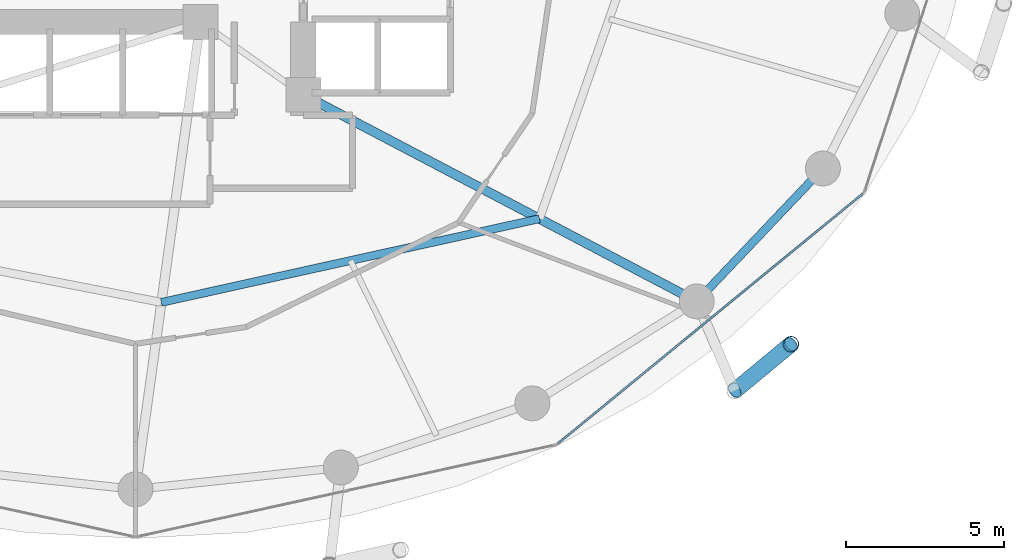
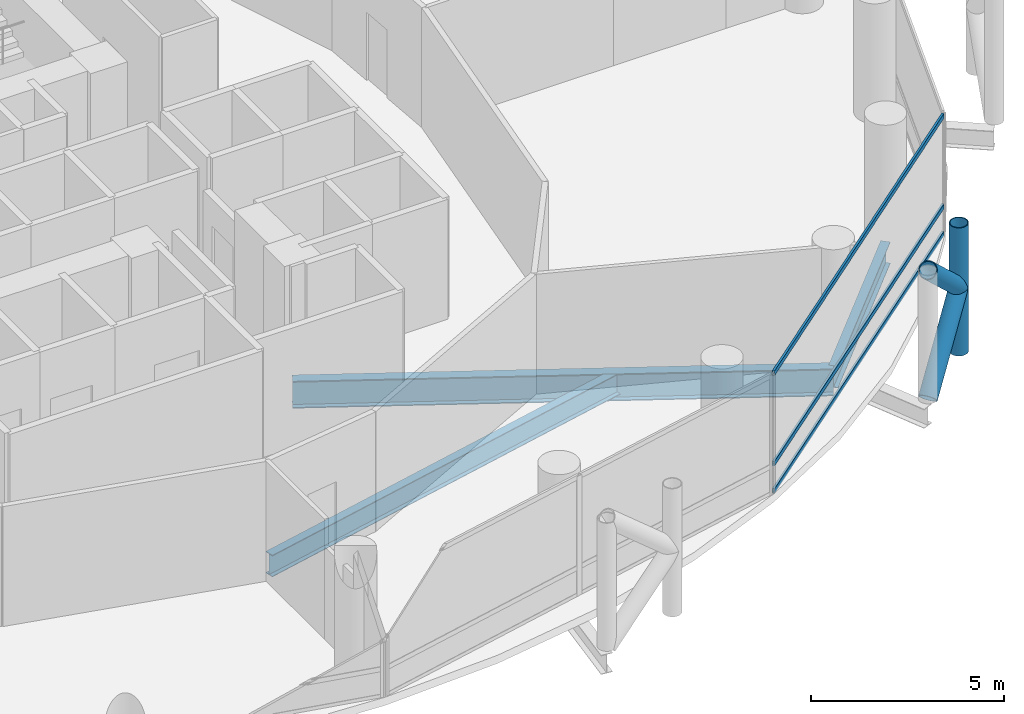
# One storey, part 9 of 25: 6 members, 3 beams, 1 element without a shape of its own.
"""IFC4 building model written with IfcOpenShell, lengths in metres."""

from ifc_helpers import new_model, si_unit, direction, frame, origin, origin_2d, place, context, subcontext, project, spatial, hollow_rectangle, hollow_circle, i_section, extrude, material, layer, layer_set, material_profile, profile_set, type_object, element, aggregate, save


model = new_model("IFC4")

# Units and contexts
model_context = context("Model", 3, precision=1e-05, world=origin(), true_north=direction((0.0, 1.0)))
body_context = subcontext(model_context, "Body", "Model", "MODEL_VIEW")
ifc_project = project(units=[si_unit("LENGTHUNIT", "METRE"), si_unit("AREAUNIT", "SQUARE_METRE"), si_unit("VOLUMEUNIT", "CUBIC_METRE"), si_unit("PLANEANGLEUNIT", "RADIAN"), si_unit("MASSUNIT", "GRAM", prefix="KILO")], contexts=[model_context])

# Site, building, storey
site_placement = place(None, origin())
site = spatial("IfcSite", under=ifc_project, at=site_placement, CompositionType="ELEMENT")
building_placement = place(site_placement, origin())
building = spatial("IfcBuilding", under=site, at=building_placement, Name="Nuhasar Tower", CompositionType="ELEMENT")
storey_placement = place(building_placement, frame((0.0, 0.0, 49.35009765625)))
storey = spatial("IfcBuildingStorey", under=building, at=storey_placement, Name="L11", CompositionType="ELEMENT", Elevation=49.35009765625)

# Beams
ifc_material_1 = material(Name="Steel S355", Category="steel")
ifc_material_profile_1 = material_profile(ifc_material_1, i_section(OverallWidth=0.25390625, OverallDepth=0.68408203125, WebThickness=0.012451171875, FlangeThickness=0.018798828125, at=origin_2d()), Name="W27X94")
ifc_profile_set_1 = profile_set([ifc_material_profile_1], Name="Steel S355")
beam_type_1 = type_object("IfcBeamType", Name="BM-INRING-W27X94", PredefinedType="BEAM", material=ifc_profile_set_1)
beam_1_placement = place(storey_placement, frame((39.820068359375, 12.449951171875, -0.60205078125), z_axis=(0.976386023343, 0.216033176665, 0.0), x_axis=(-0.216033176665, 0.976386023343, 0.0)))
element("IfcBeam", 1, at=beam_1_placement, inside=storey, type_object=beam_type_1, Name="L11 Inner Header Beam 02", PredefinedType="BEAM", context=body_context, shape_type="SweptSolid", body=[
    extrude(i_section(OverallWidth=0.25390625, OverallDepth=0.68408203125, WebThickness=0.012451171875, FlangeThickness=0.018798828125, at=origin_2d()), origin(), (0.0, 0.0, 1.0), 12.216552734375),
])
ifc_material_profile_2 = material_profile(ifc_material_1, i_section(OverallWidth=0.2919921875, OverallDepth=0.85888671875, WebThickness=0.01708984375, FlangeThickness=0.031005859375, at=origin_2d()), Name="W33X169")
ifc_profile_set_2 = profile_set([ifc_material_profile_2], Name="Steel S355")
beam_type_2 = type_object("IfcBeamType", Name="BM-POD-W33X169", PredefinedType="BEAM", material=ifc_profile_set_2)
beam_2_placement = place(storey_placement, frame((44.300048828125, 19.0, -0.689208984375), z_axis=(0.885330348705, -0.464962550816, 0.0), x_axis=(0.464962550816, 0.885330348705, 0.0)))
element("IfcBeam", 2, at=beam_2_placement, inside=storey, type_object=beam_type_2, Name="L11 Radial Floor Girder 03", PredefinedType="BEAM", context=body_context, shape_type="SweptSolid", body=[
    extrude(i_section(OverallWidth=0.2919921875, OverallDepth=0.85888671875, WebThickness=0.01708984375, FlangeThickness=0.031005859375, at=origin_2d()), origin(), (0.0, 0.0, 1.0), 14.0205078125),
])
ifc_material_profile_3 = material_profile(ifc_material_1, i_section(OverallWidth=0.256103515625, OverallDepth=0.693115234375, WebThickness=0.014404296875, FlangeThickness=0.023681640625, at=origin_2d()), Name="W27X114")
ifc_profile_set_3 = profile_set([ifc_material_profile_3], Name="Steel S355")
beam_type_3 = type_object("IfcBeamType", Name="BM-RING-W27X114", PredefinedType="SPANDREL", material=ifc_profile_set_3)
beam_3_placement = place(storey_placement, frame((56.712890625, 12.48095703125, -0.606201171875), z_axis=(0.688459812429, 0.725274490569, 0.0), x_axis=(-0.725274490569, 0.688459812429, 0.0)))
element("IfcBeam", 3, at=beam_3_placement, inside=storey, type_object=beam_type_3, Name="L11 Perimeter Ring Spandrel 22", PredefinedType="SPANDREL", context=body_context, shape_type="SweptSolid", body=[
    extrude(i_section(OverallWidth=0.256103515625, OverallDepth=0.693115234375, WebThickness=0.014404296875, FlangeThickness=0.023681640625, at=origin_2d()), origin(), (0.0, 0.0, 1.0), 5.78271484375),
])

# Curtain wall, members
ifc_material_2 = material(Name="Aluminium 6063-T6", Category="aluminium")
ifc_layer = layer(ifc_material_2, 0.199951171875)
ifc_layer_set = layer_set([ifc_layer], Name="Aluminium 6063-T6")
curtain_wall_type = type_object("IfcCurtainWallType", Name="CW-Z1-OFF", PredefinedType="NOTDEFINED", material=ifc_layer_set)
curtain_wall_placement = place(storey_placement, origin())
curtain_wall = element("IfcCurtainWall", 4, at=curtain_wall_placement, inside=storey, type_object=curtain_wall_type, Name="L11 Unitised Curtain Wall 11", PredefinedType="NOTDEFINED")
ifc_material_profile_4 = material_profile(ifc_material_2, hollow_rectangle(XDim=0.06494140625, YDim=0.14990234375, WallThickness=0.00439453125, at=origin_2d()), Name="CWT-2")
ifc_profile_set_4 = profile_set([ifc_material_profile_4], Name="Aluminium 6063-T6")
member_type_1 = type_object("IfcMemberType", Name="CW-TRN-S2", PredefinedType="USERDEFINED", material=ifc_profile_set_4)
member_1_placement = place(storey_placement, frame((52.330322265625, 7.99609375, 0.032470703125), z_axis=(0.773531229158, 0.633758185365, 0.0), x_axis=(-0.633758185365, 0.773531229158, 0.0)))
member_1 = element("IfcMember", 5, at=member_1_placement, type_object=member_type_1, Name="CW-Z1 transom 1.1", ObjectType="TRANSOM", PredefinedType="USERDEFINED", context=body_context, shape_type="SweptSolid", body=[
    extrude(hollow_rectangle(XDim=0.06494140625, YDim=0.14990234375, WallThickness=0.00439453125, at=origin_2d()), origin(), (0.0, 0.0, 1.0), 12.438232421875),
])
member_2_placement = place(storey_placement, frame((52.330322265625, 7.99609375, 0.89990234375), z_axis=(0.773531229158, 0.633758185365, 0.0), x_axis=(-0.633758185365, 0.773531229158, 0.0)))
member_2 = element("IfcMember", 6, at=member_2_placement, type_object=member_type_1, Name="CW-Z1 transom 1.2", ObjectType="TRANSOM", PredefinedType="USERDEFINED", context=body_context, shape_type="SweptSolid", body=[
    extrude(hollow_rectangle(XDim=0.06494140625, YDim=0.14990234375, WallThickness=0.00439453125, at=origin_2d()), origin(), (0.0, 0.0, 1.0), 12.438232421875),
])
member_3_placement = place(storey_placement, frame((52.330322265625, 7.99609375, 3.75732421875), z_axis=(0.773531229158, 0.633758185365, 0.0), x_axis=(-0.633758185365, 0.773531229158, 0.0)))
member_3 = element("IfcMember", 7, at=member_3_placement, type_object=member_type_1, Name="CW-Z1 transom 1.3", ObjectType="TRANSOM", PredefinedType="USERDEFINED", context=body_context, shape_type="SweptSolid", body=[
    extrude(hollow_rectangle(XDim=0.06494140625, YDim=0.14990234375, WallThickness=0.00439453125, at=origin_2d()), origin(), (0.0, 0.0, 1.0), 12.438232421875),
])
aggregate(curtain_wall, [member_1, member_2, member_3])

# Members
ifc_material_3 = material(Name="Steel S460", Category="steel")
ifc_material_profile_5 = material_profile(ifc_material_3, hollow_circle(Radius=0.25390625, WallThickness=0.025390625, at=origin_2d()), Name="HSS508X25.4")
ifc_profile_set_5 = profile_set([ifc_material_profile_5], Name="Steel S460")
member_type_2 = type_object("IfcMemberType", Name="EXO-BRONZE-508", PredefinedType="BRACE", material=ifc_profile_set_5)
member_4_placement = place(storey_placement, frame((59.68505859375, 11.12890625, 0.0), z_axis=(0.0, 0.0, 1.0), x_axis=(1.0, 0.0, 0.0)))
element("IfcMember", 8, at=member_4_placement, inside=storey, type_object=member_type_2, Name="L11 Exoskeleton Chord Column EC-11B", PredefinedType="BRACE", context=body_context, shape_type="SweptSolid", body=[
    extrude(hollow_circle(Radius=0.25390625, WallThickness=0.025390625, at=origin_2d()), origin(), (0.0, 0.0, 1.0), 4.0498046875),
])
for number, where, z_axis, x_axis, name in (
    (9, (57.9130859375, 9.660888671875, 0.0), (0.578101613167, 0.478937034992, 0.660619286251), (-0.637969333506, 0.770061769929, 0.0), "L11 Bronze Diagrid Brace W1-11"),
    (10, (59.68505859375, 11.12890625, 2.02490234375), (-0.578101613167, -0.478937034992, 0.660619286251), (0.637969333506, -0.770061769929, 0.0), "L11 Bronze Diagrid Brace W2-11"),
):
    element("IfcMember", number, at=place(storey_placement, frame(where, z_axis=z_axis, x_axis=x_axis)), inside=storey, type_object=member_type_2, Name=name, PredefinedType="BRACE", context=body_context, shape_type="SweptSolid", body=[
        extrude(hollow_circle(Radius=0.25390625, WallThickness=0.025390625, at=origin_2d()), origin(), (0.0, 0.0, 1.0), 3.065185546875),
    ])

save(model, "model.ifc")
